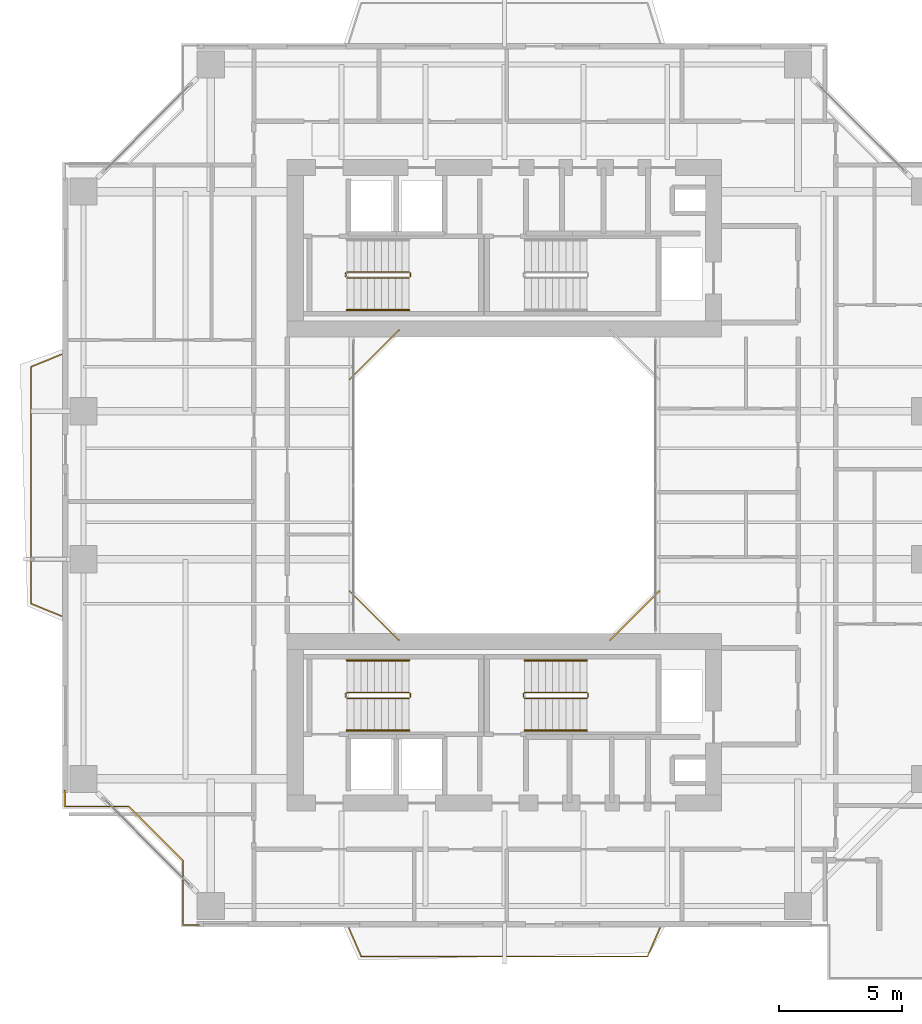
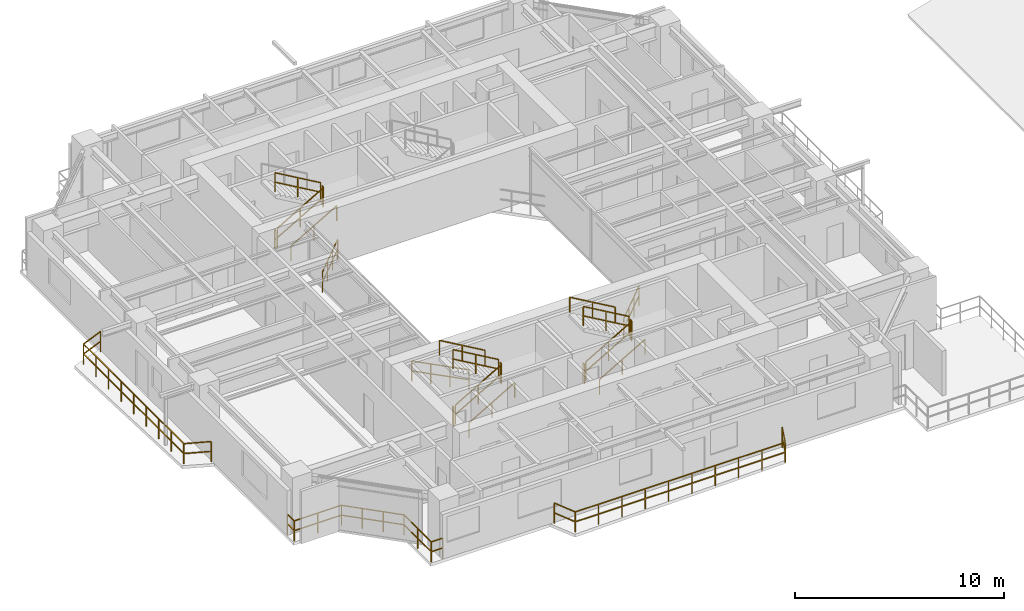
# One storey, part 26 of 28: 23 railings.
"""IFC4 building model written with IfcOpenShell, lengths in metres."""

from ifc_helpers import new_model, si_unit, direction, frame, origin, origin_2d, place, context, subcontext, project, spatial, rectangle, extrude, material, type_object, element, save


model = new_model("IFC4")

# Units and contexts
model_context = context("Model", 3, precision=1e-05, world=origin(), true_north=direction((0.0, 1.0)))
body_context = subcontext(model_context, "Body", "Model", "MODEL_VIEW")
ifc_project = project(units=[si_unit("LENGTHUNIT", "METRE"), si_unit("AREAUNIT", "SQUARE_METRE"), si_unit("VOLUMEUNIT", "CUBIC_METRE"), si_unit("PLANEANGLEUNIT", "RADIAN"), si_unit("MASSUNIT", "GRAM", prefix="KILO"), si_unit("THERMODYNAMICTEMPERATUREUNIT", "KELVIN"), si_unit("POWERUNIT", "WATT")], contexts=[model_context])

# Site, building, storey
site_placement = place(None, origin())
site = spatial("IfcSite", under=ifc_project, at=site_placement, CompositionType="ELEMENT")
building_placement = place(site_placement, origin())
building = spatial("IfcBuilding", under=site, at=building_placement, Name="Qiaomeng Ring Towers", CompositionType="ELEMENT")
storey_placement = place(building_placement, frame((0.0, 0.0, 113.25)))
storey = spatial("IfcBuildingStorey", under=building, at=storey_placement, Name="L32", CompositionType="ELEMENT", Elevation=113.25)

# Railings
ifc_material_1 = material(Name="Low-E pale-green laminated safety glass", Category="glass")
railing_type_1 = type_object("IfcRailingType", Name="ARC-RL-BAL1", PredefinedType="BALUSTRADE", material=ifc_material_1)
railing_1_placement = place(storey_placement, frame((23.280029296875, 16.719970703125, 0.0)))
element("IfcRailing", 1, at=railing_1_placement, inside=storey, type_object=railing_type_1, Name="L32 Balustrade ARC-BAL-WELL1-L32-1", PredefinedType="BALUSTRADE", context=body_context, shape_type="SweptSolid", body=[
    extrude(rectangle(XDim=0.048095703125, YDim=0.048095703125, at=origin_2d()), frame((0.0, 0.0, 1.17578125), z_axis=(0.707106781187, 0.707106781187, 0.0), x_axis=(-0.707106781187, 0.707106781187, 0.0)), (0.0, 0.0, 1.0), 2.828369140625),
    extrude(rectangle(XDim=0.048095703125, YDim=0.048095703125, at=origin_2d()), frame((0.0, 0.0, 0.60009765625), z_axis=(0.707106781187, 0.707106781187, 0.0), x_axis=(-0.707106781187, 0.707106781187, 0.0)), (0.0, 0.0, 1.0), 2.828369140625),
    extrude(rectangle(XDim=0.0419921875, YDim=0.0419921875, at=origin_2d()), origin(), (0.0, 0.0, 1.0), 1.15185546875),
    extrude(rectangle(XDim=0.0419921875, YDim=0.0419921875, at=origin_2d()), frame((0.666748046875, 0.666748046875, 0.0)), (0.0, 0.0, 1.0), 1.15185546875),
    extrude(rectangle(XDim=0.0419921875, YDim=0.0419921875, at=origin_2d()), frame((1.333251953125, 1.333251953125, 0.0)), (0.0, 0.0, 1.0), 1.15185546875),
    extrude(rectangle(XDim=0.0419921875, YDim=0.0419921875, at=origin_2d()), frame((2.0, 2.0, 0.0)), (0.0, 0.0, 1.0), 1.15185546875),
])
railing_2_placement = place(storey_placement, frame((14.719970703125, 29.280029296875, 0.0)))
element("IfcRailing", 2, at=railing_2_placement, inside=storey, type_object=railing_type_1, Name="L32 Balustrade ARC-BAL-WELL1-L32-3", PredefinedType="BALUSTRADE", context=body_context, shape_type="SweptSolid", body=[
    extrude(rectangle(XDim=0.048095703125, YDim=0.048095703125, at=origin_2d()), frame((0.0, 0.0, 1.17578125), z_axis=(-0.707106781187, -0.707106781187, 0.0), x_axis=(0.707106781187, -0.707106781187, 0.0)), (0.0, 0.0, 1.0), 2.828369140625),
    extrude(rectangle(XDim=0.048095703125, YDim=0.048095703125, at=origin_2d()), frame((0.0, 0.0, 0.60009765625), z_axis=(-0.707106781187, -0.707106781187, 0.0), x_axis=(0.707106781187, -0.707106781187, 0.0)), (0.0, 0.0, 1.0), 2.828369140625),
    extrude(rectangle(XDim=0.0419921875, YDim=0.0419921875, at=origin_2d()), origin(), (0.0, 0.0, 1.0), 1.15185546875),
    extrude(rectangle(XDim=0.0419921875, YDim=0.0419921875, at=origin_2d()), frame((-0.666748046875, -0.666748046875, 0.0)), (0.0, 0.0, 1.0), 1.15185546875),
    extrude(rectangle(XDim=0.0419921875, YDim=0.0419921875, at=origin_2d()), frame((-1.333251953125, -1.333251953125, 0.0)), (0.0, 0.0, 1.0), 1.15185546875),
    extrude(rectangle(XDim=0.0419921875, YDim=0.0419921875, at=origin_2d()), frame((-2.0, -2.0, 0.0)), (0.0, 0.0, 1.0), 1.15185546875),
])
railing_3_placement = place(storey_placement, frame((12.719970703125, 18.719970703125, 0.0)))
element("IfcRailing", 3, at=railing_3_placement, inside=storey, type_object=railing_type_1, Name="L32 Balustrade ARC-BAL-WELL1-L32-4", PredefinedType="BALUSTRADE", context=body_context, shape_type="SweptSolid", body=[
    extrude(rectangle(XDim=0.048095703125, YDim=0.048095703125, at=origin_2d()), frame((0.0, 0.0, 1.17578125), z_axis=(0.707106781187, -0.707106781187, 0.0), x_axis=(0.707106781187, 0.707106781187, 0.0)), (0.0, 0.0, 1.0), 2.828369140625),
    extrude(rectangle(XDim=0.048095703125, YDim=0.048095703125, at=origin_2d()), frame((0.0, 0.0, 0.60009765625), z_axis=(0.707106781187, -0.707106781187, 0.0), x_axis=(0.707106781187, 0.707106781187, 0.0)), (0.0, 0.0, 1.0), 2.828369140625),
    extrude(rectangle(XDim=0.0419921875, YDim=0.0419921875, at=origin_2d()), origin(), (0.0, 0.0, 1.0), 1.15185546875),
    extrude(rectangle(XDim=0.0419921875, YDim=0.0419921875, at=origin_2d()), frame((0.666748046875, -0.666748046875, 0.0)), (0.0, 0.0, 1.0), 1.15185546875),
    extrude(rectangle(XDim=0.0419921875, YDim=0.0419921875, at=origin_2d()), frame((1.333251953125, -1.333251953125, 0.0)), (0.0, 0.0, 1.0), 1.15185546875),
    extrude(rectangle(XDim=0.0419921875, YDim=0.0419921875, at=origin_2d()), frame((2.0, -2.0, 0.0)), (0.0, 0.0, 1.0), 1.15185546875),
])
railing_4_placement = place(storey_placement, frame((1.179931640625, 10.6298828125, 0.0)))
element("IfcRailing", 4, at=railing_4_placement, inside=storey, type_object=railing_type_1, Name="L32 Balustrade ARC-BAL-NOTCH1-L32-SW", PredefinedType="BALUSTRADE", context=body_context, shape_type="SweptSolid", body=[
    extrude(rectangle(XDim=0.048095703125, YDim=0.048095703125, at=origin_2d()), frame((0.0, 0.0, 1.17578125), z_axis=(0.0, -1.0, 0.0), x_axis=(1.0, 0.0, 0.0)), (0.0, 0.0, 1.0), 0.64990234375),
    extrude(rectangle(XDim=0.048095703125, YDim=0.048095703125, at=origin_2d()), frame((0.0, 0.0, 0.60009765625), z_axis=(0.0, -1.0, 0.0), x_axis=(1.0, 0.0, 0.0)), (0.0, 0.0, 1.0), 0.64990234375),
    extrude(rectangle(XDim=0.048095703125, YDim=0.048095703125, at=origin_2d()), frame((0.0, -0.64990234375, 1.17578125), z_axis=(1.0, 0.0, 0.0), x_axis=(0.0, 1.0, 0.0)), (0.0, 0.0, 1.0), 2.60009765625),
    extrude(rectangle(XDim=0.048095703125, YDim=0.048095703125, at=origin_2d()), frame((0.0, -0.64990234375, 0.60009765625), z_axis=(1.0, 0.0, 0.0), x_axis=(0.0, 1.0, 0.0)), (0.0, 0.0, 1.0), 2.60009765625),
    extrude(rectangle(XDim=0.048095703125, YDim=0.048095703125, at=origin_2d()), frame((2.60009765625, -0.64990234375, 1.17578125), z_axis=(0.707106781187, -0.707106781187, 0.0), x_axis=(0.707106781187, 0.707106781187, 0.0)), (0.0, 0.0, 1.0), 3.111083984375),
    extrude(rectangle(XDim=0.048095703125, YDim=0.048095703125, at=origin_2d()), frame((2.60009765625, -0.64990234375, 0.60009765625), z_axis=(0.707106781187, -0.707106781187, 0.0), x_axis=(0.707106781187, 0.707106781187, 0.0)), (0.0, 0.0, 1.0), 3.111083984375),
    extrude(rectangle(XDim=0.048095703125, YDim=0.048095703125, at=origin_2d()), frame((4.800048828125, -2.849853515625, 1.17578125), z_axis=(0.0, -1.0, 0.0), x_axis=(1.0, 0.0, 0.0)), (0.0, 0.0, 1.0), 2.60009765625),
    extrude(rectangle(XDim=0.048095703125, YDim=0.048095703125, at=origin_2d()), frame((4.800048828125, -2.849853515625, 0.60009765625), z_axis=(0.0, -1.0, 0.0), x_axis=(1.0, 0.0, 0.0)), (0.0, 0.0, 1.0), 2.60009765625),
    extrude(rectangle(XDim=0.048095703125, YDim=0.048095703125, at=origin_2d()), frame((4.800048828125, -5.449951171875, 1.17578125), z_axis=(1.0, 0.0, 0.0), x_axis=(0.0, 1.0, 0.0)), (0.0, 0.0, 1.0), 0.64990234375),
    extrude(rectangle(XDim=0.048095703125, YDim=0.048095703125, at=origin_2d()), frame((4.800048828125, -5.449951171875, 0.60009765625), z_axis=(1.0, 0.0, 0.0), x_axis=(0.0, 1.0, 0.0)), (0.0, 0.0, 1.0), 0.64990234375),
    extrude(rectangle(XDim=0.0419921875, YDim=0.0419921875, at=origin_2d()), origin(), (0.0, 0.0, 1.0), 1.15185546875),
    extrude(rectangle(XDim=0.0419921875, YDim=0.0419921875, at=origin_2d()), frame((0.0, -0.64990234375, 0.0)), (0.0, 0.0, 1.0), 1.15185546875),
    extrude(rectangle(XDim=0.0419921875, YDim=0.0419921875, at=origin_2d()), frame((1.300048828125, -0.64990234375, 0.0)), (0.0, 0.0, 1.0), 1.15185546875),
    extrude(rectangle(XDim=0.0419921875, YDim=0.0419921875, at=origin_2d()), frame((2.60009765625, -0.64990234375, 0.0)), (0.0, 0.0, 1.0), 1.15185546875),
    extrude(rectangle(XDim=0.0419921875, YDim=0.0419921875, at=origin_2d()), frame((3.33349609375, -1.38330078125, 0.0)), (0.0, 0.0, 1.0), 1.15185546875),
    extrude(rectangle(XDim=0.0419921875, YDim=0.0419921875, at=origin_2d()), frame((4.066650390625, -2.116455078125, 0.0)), (0.0, 0.0, 1.0), 1.15185546875),
    extrude(rectangle(XDim=0.0419921875, YDim=0.0419921875, at=origin_2d()), frame((4.800048828125, -2.849853515625, 0.0)), (0.0, 0.0, 1.0), 1.15185546875),
    extrude(rectangle(XDim=0.0419921875, YDim=0.0419921875, at=origin_2d()), frame((4.800048828125, -4.14990234375, 0.0)), (0.0, 0.0, 1.0), 1.15185546875),
    extrude(rectangle(XDim=0.0419921875, YDim=0.0419921875, at=origin_2d()), frame((4.800048828125, -5.449951171875, 0.0)), (0.0, 0.0, 1.0), 1.15185546875),
    extrude(rectangle(XDim=0.0419921875, YDim=0.0419921875, at=origin_2d()), frame((5.449951171875, -5.449951171875, 0.0)), (0.0, 0.0, 1.0), 1.15185546875),
])
railing_5_placement = place(storey_placement, frame((12.699951171875, 5.050048828125, 0.0)))
element("IfcRailing", 5, at=railing_5_placement, inside=storey, type_object=railing_type_1, Name="L32 Balustrade ARC-BAL-L32-T1-S", PredefinedType="BALUSTRADE", context=body_context, shape_type="SweptSolid", body=[
    extrude(rectangle(XDim=0.048095703125, YDim=0.048095703125, at=origin_2d()), frame((0.0, 0.0, 1.17578125), z_axis=(0.39868340127, -0.917088624699, 0.0), x_axis=(0.917088624699, 0.39868340127, 0.0)), (0.0, 0.0, 1.0), 1.254150390625),
    extrude(rectangle(XDim=0.048095703125, YDim=0.048095703125, at=origin_2d()), frame((0.0, 0.0, 0.60009765625), z_axis=(0.39868340127, -0.917088624699, 0.0), x_axis=(0.917088624699, 0.39868340127, 0.0)), (0.0, 0.0, 1.0), 1.254150390625),
    extrude(rectangle(XDim=0.048095703125, YDim=0.048095703125, at=origin_2d()), frame((0.5, -1.150146484375, 1.17578125), z_axis=(1.0, 0.0, 0.0), x_axis=(0.0, 1.0, 0.0)), (0.0, 0.0, 1.0), 11.60009765625),
    extrude(rectangle(XDim=0.048095703125, YDim=0.048095703125, at=origin_2d()), frame((0.5, -1.150146484375, 0.60009765625), z_axis=(1.0, 0.0, 0.0), x_axis=(0.0, 1.0, 0.0)), (0.0, 0.0, 1.0), 11.60009765625),
    extrude(rectangle(XDim=0.048095703125, YDim=0.048095703125, at=origin_2d()), frame((12.10009765625, -1.150146484375, 1.17578125), z_axis=(0.39868340127, 0.917088624699, 0.0), x_axis=(-0.917088624699, 0.39868340127, 0.0)), (0.0, 0.0, 1.0), 1.254150390625),
    extrude(rectangle(XDim=0.048095703125, YDim=0.048095703125, at=origin_2d()), frame((12.10009765625, -1.150146484375, 0.60009765625), z_axis=(0.39868340127, 0.917088624699, 0.0), x_axis=(-0.917088624699, 0.39868340127, 0.0)), (0.0, 0.0, 1.0), 1.254150390625),
    extrude(rectangle(XDim=0.0419921875, YDim=0.0419921875, at=origin_2d()), origin(), (0.0, 0.0, 1.0), 1.15185546875),
    extrude(rectangle(XDim=0.0419921875, YDim=0.0419921875, at=origin_2d()), frame((0.5, -1.150146484375, 0.0)), (0.0, 0.0, 1.0), 1.15185546875),
    extrude(rectangle(XDim=0.0419921875, YDim=0.0419921875, at=origin_2d()), frame((1.788818359375, -1.150146484375, 0.0)), (0.0, 0.0, 1.0), 1.15185546875),
    extrude(rectangle(XDim=0.0419921875, YDim=0.0419921875, at=origin_2d()), frame((3.077880859375, -1.150146484375, 0.0)), (0.0, 0.0, 1.0), 1.15185546875),
    extrude(rectangle(XDim=0.0419921875, YDim=0.0419921875, at=origin_2d()), frame((4.36669921875, -1.150146484375, 0.0)), (0.0, 0.0, 1.0), 1.15185546875),
    extrude(rectangle(XDim=0.0419921875, YDim=0.0419921875, at=origin_2d()), frame((5.655517578125, -1.150146484375, 0.0)), (0.0, 0.0, 1.0), 1.15185546875),
    extrude(rectangle(XDim=0.0419921875, YDim=0.0419921875, at=origin_2d()), frame((6.944580078125, -1.150146484375, 0.0)), (0.0, 0.0, 1.0), 1.15185546875),
    extrude(rectangle(XDim=0.0419921875, YDim=0.0419921875, at=origin_2d()), frame((8.2333984375, -1.150146484375, 0.0)), (0.0, 0.0, 1.0), 1.15185546875),
    extrude(rectangle(XDim=0.0419921875, YDim=0.0419921875, at=origin_2d()), frame((9.522216796875, -1.150146484375, 0.0)), (0.0, 0.0, 1.0), 1.15185546875),
    extrude(rectangle(XDim=0.0419921875, YDim=0.0419921875, at=origin_2d()), frame((10.811279296875, -1.150146484375, 0.0)), (0.0, 0.0, 1.0), 1.15185546875),
    extrude(rectangle(XDim=0.0419921875, YDim=0.0419921875, at=origin_2d()), frame((12.10009765625, -1.150146484375, 0.0)), (0.0, 0.0, 1.0), 1.15185546875),
    extrude(rectangle(XDim=0.0419921875, YDim=0.0419921875, at=origin_2d()), frame((12.60009765625, 0.0, 0.0)), (0.0, 0.0, 1.0), 1.15185546875),
])
railing_6_placement = place(storey_placement, frame((1.050048828125, 17.699951171875, 0.0)))
element("IfcRailing", 6, at=railing_6_placement, inside=storey, type_object=railing_type_1, Name="L32 Balustrade ARC-BAL-L32-T1-W", PredefinedType="BALUSTRADE", context=body_context, shape_type="SweptSolid", body=[
    extrude(rectangle(XDim=0.048095703125, YDim=0.048095703125, at=origin_2d()), frame((0.0, 0.0, 1.17578125), z_axis=(-0.926382398109, 0.376584190418, 0.0), x_axis=(-0.376584190418, -0.926382398109, 0.0)), (0.0, 0.0, 1.0), 1.32763671875),
    extrude(rectangle(XDim=0.048095703125, YDim=0.048095703125, at=origin_2d()), frame((0.0, 0.0, 0.60009765625), z_axis=(-0.926382398109, 0.376584190418, 0.0), x_axis=(-0.376584190418, -0.926382398109, 0.0)), (0.0, 0.0, 1.0), 1.32763671875),
    extrude(rectangle(XDim=0.048095703125, YDim=0.048095703125, at=origin_2d()), frame((-1.22998046875, 0.5, 1.17578125), z_axis=(0.0, 1.0, 0.0), x_axis=(-1.0, 0.0, 0.0)), (0.0, 0.0, 1.0), 9.60009765625),
    extrude(rectangle(XDim=0.048095703125, YDim=0.048095703125, at=origin_2d()), frame((-1.22998046875, 0.5, 0.60009765625), z_axis=(0.0, 1.0, 0.0), x_axis=(-1.0, 0.0, 0.0)), (0.0, 0.0, 1.0), 9.60009765625),
    extrude(rectangle(XDim=0.048095703125, YDim=0.048095703125, at=origin_2d()), frame((-1.22998046875, 10.10009765625, 1.17578125), z_axis=(0.926382398109, 0.376584190418, 0.0), x_axis=(-0.376584190418, 0.926382398109, 0.0)), (0.0, 0.0, 1.0), 1.32763671875),
    extrude(rectangle(XDim=0.048095703125, YDim=0.048095703125, at=origin_2d()), frame((-1.22998046875, 10.10009765625, 0.60009765625), z_axis=(0.926382398109, 0.376584190418, 0.0), x_axis=(-0.376584190418, 0.926382398109, 0.0)), (0.0, 0.0, 1.0), 1.32763671875),
    extrude(rectangle(XDim=0.0419921875, YDim=0.0419921875, at=origin_2d()), origin(), (0.0, 0.0, 1.0), 1.15185546875),
    extrude(rectangle(XDim=0.0419921875, YDim=0.0419921875, at=origin_2d()), frame((-1.22998046875, 0.5, 0.0)), (0.0, 0.0, 1.0), 1.15185546875),
    extrude(rectangle(XDim=0.0419921875, YDim=0.0419921875, at=origin_2d()), frame((-1.22998046875, 1.699951171875, 0.0)), (0.0, 0.0, 1.0), 1.15185546875),
    extrude(rectangle(XDim=0.0419921875, YDim=0.0419921875, at=origin_2d()), frame((-1.22998046875, 2.89990234375, 0.0)), (0.0, 0.0, 1.0), 1.15185546875),
    extrude(rectangle(XDim=0.0419921875, YDim=0.0419921875, at=origin_2d()), frame((-1.22998046875, 4.10009765625, 0.0)), (0.0, 0.0, 1.0), 1.15185546875),
    extrude(rectangle(XDim=0.0419921875, YDim=0.0419921875, at=origin_2d()), frame((-1.22998046875, 5.300048828125, 0.0)), (0.0, 0.0, 1.0), 1.15185546875),
    extrude(rectangle(XDim=0.0419921875, YDim=0.0419921875, at=origin_2d()), frame((-1.22998046875, 6.5, 0.0)), (0.0, 0.0, 1.0), 1.15185546875),
    extrude(rectangle(XDim=0.0419921875, YDim=0.0419921875, at=origin_2d()), frame((-1.22998046875, 7.7001953125, 0.0)), (0.0, 0.0, 1.0), 1.15185546875),
    extrude(rectangle(XDim=0.0419921875, YDim=0.0419921875, at=origin_2d()), frame((-1.22998046875, 8.900146484375, 0.0)), (0.0, 0.0, 1.0), 1.15185546875),
    extrude(rectangle(XDim=0.0419921875, YDim=0.0419921875, at=origin_2d()), frame((-1.22998046875, 10.10009765625, 0.0)), (0.0, 0.0, 1.0), 1.15185546875),
    extrude(rectangle(XDim=0.0419921875, YDim=0.0419921875, at=origin_2d()), frame((0.0, 10.60009765625, 0.0)), (0.0, 0.0, 1.0), 1.15185546875),
])
ifc_material_2 = material(Name="Galvanised steel", Category="steel")
railing_type_2 = type_object("IfcRailingType", Name="ARC-RL-GUARD", PredefinedType="GUARDRAIL", material=ifc_material_2)
railing_7_placement = place(storey_placement, frame((12.6201171875, 31.39990234375, 0.16259765625)))
element("IfcRailing", 7, at=railing_7_placement, inside=storey, type_object=railing_type_2, Name="L32 ST1 stair guard 1", PredefinedType="GUARDRAIL", context=body_context, shape_type="SweptSolid", body=[
    extrude(rectangle(XDim=0.048095703125, YDim=0.048095703125, at=origin_2d()), frame((0.0, 0.0, 1.1259765625), z_axis=(0.864892226395, 0.0, 0.501957604506), x_axis=(0.0, 1.0, 0.0)), (0.0, 0.0, 1.0), 2.913330078125),
    extrude(rectangle(XDim=0.048095703125, YDim=0.048095703125, at=origin_2d()), frame((0.0, 0.0, 0.574951171875), z_axis=(0.864892226395, 0.0, 0.501957604506), x_axis=(0.0, 1.0, 0.0)), (0.0, 0.0, 1.0), 2.913330078125),
    extrude(rectangle(XDim=0.0419921875, YDim=0.0419921875, at=origin_2d()), origin(), (0.0, 0.0, 1.0), 1.101806640625),
    extrude(rectangle(XDim=0.0419921875, YDim=0.0419921875, at=origin_2d()), frame((1.259765625, 0.0, 0.731201171875)), (0.0, 0.0, 1.0), 1.101806640625),
    extrude(rectangle(XDim=0.0419921875, YDim=0.0419921875, at=origin_2d()), frame((2.519775390625, 0.0, 1.46240234375)), (0.0, 0.0, 1.0), 1.101806640625),
])
railing_8_placement = place(storey_placement, frame((15.18994140625, 31.449951171875, 1.625)))
element("IfcRailing", 8, at=railing_8_placement, inside=storey, type_object=railing_type_2, Name="L32 ST1 stair guard 2", PredefinedType="GUARDRAIL", context=body_context, shape_type="SweptSolid", body=[
    extrude(rectangle(XDim=0.048095703125, YDim=0.048095703125, at=origin_2d()), frame((0.0, 0.0, 1.1259765625), z_axis=(0.0, 1.0, 0.0), x_axis=(-1.0, 0.0, 0.0)), (0.0, 0.0, 1.0), 0.14013671875),
    extrude(rectangle(XDim=0.048095703125, YDim=0.048095703125, at=origin_2d()), frame((0.0, 0.0, 0.574951171875), z_axis=(0.0, 1.0, 0.0), x_axis=(-1.0, 0.0, 0.0)), (0.0, 0.0, 1.0), 0.14013671875),
    extrude(rectangle(XDim=0.0419921875, YDim=0.0419921875, at=origin_2d()), origin(), (0.0, 0.0, 1.0), 1.101806640625),
    extrude(rectangle(XDim=0.0419921875, YDim=0.0419921875, at=origin_2d()), frame((0.0, 0.14013671875, 0.0)), (0.0, 0.0, 1.0), 1.101806640625),
])
railing_9_placement = place(storey_placement, frame((15.139892578125, 31.639892578125, 1.78759765625)))
element("IfcRailing", 9, at=railing_9_placement, inside=storey, type_object=railing_type_2, Name="L32 ST1 stair guard 3", PredefinedType="GUARDRAIL", context=body_context, shape_type="SweptSolid", body=[
    extrude(rectangle(XDim=0.048095703125, YDim=0.048095703125, at=origin_2d()), frame((0.0, 0.0, 1.1259765625), z_axis=(-0.864892226395, 0.0, 0.501957604506), x_axis=(0.0, -1.0, 0.0)), (0.0, 0.0, 1.0), 2.913330078125),
    extrude(rectangle(XDim=0.048095703125, YDim=0.048095703125, at=origin_2d()), frame((0.0, 0.0, 0.574951171875), z_axis=(-0.864892226395, 0.0, 0.501957604506), x_axis=(0.0, -1.0, 0.0)), (0.0, 0.0, 1.0), 2.913330078125),
    extrude(rectangle(XDim=0.0419921875, YDim=0.0419921875, at=origin_2d()), origin(), (0.0, 0.0, 1.0), 1.101806640625),
    extrude(rectangle(XDim=0.0419921875, YDim=0.0419921875, at=origin_2d()), frame((-1.259765625, 0.0, 0.731201171875)), (0.0, 0.0, 1.0), 1.101806640625),
    extrude(rectangle(XDim=0.0419921875, YDim=0.0419921875, at=origin_2d()), frame((-2.519775390625, 0.0, 1.46240234375)), (0.0, 0.0, 1.0), 1.101806640625),
])
railing_10_placement = place(storey_placement, frame((12.570068359375, 31.449951171875, 0.0)))
element("IfcRailing", 10, at=railing_10_placement, inside=storey, type_object=railing_type_2, Name="L32 ST1 stair guard 4", PredefinedType="GUARDRAIL", context=body_context, shape_type="SweptSolid", body=[
    extrude(rectangle(XDim=0.048095703125, YDim=0.048095703125, at=origin_2d()), frame((0.0, 0.0, 1.1259765625), z_axis=(0.0, 1.0, 0.0), x_axis=(-1.0, 0.0, 0.0)), (0.0, 0.0, 1.0), 0.14013671875),
    extrude(rectangle(XDim=0.048095703125, YDim=0.048095703125, at=origin_2d()), frame((0.0, 0.0, 0.574951171875), z_axis=(0.0, 1.0, 0.0), x_axis=(-1.0, 0.0, 0.0)), (0.0, 0.0, 1.0), 0.14013671875),
    extrude(rectangle(XDim=0.0419921875, YDim=0.0419921875, at=origin_2d()), origin(), (0.0, 0.0, 1.0), 1.101806640625),
    extrude(rectangle(XDim=0.0419921875, YDim=0.0419921875, at=origin_2d()), frame((0.0, 0.14013671875, 0.0)), (0.0, 0.0, 1.0), 1.101806640625),
])
railing_11_placement = place(storey_placement, frame((12.6201171875, 14.360107421875, 0.16259765625)))
element("IfcRailing", 11, at=railing_11_placement, inside=storey, type_object=railing_type_2, Name="L32 ST3 stair guard 1", PredefinedType="GUARDRAIL", context=body_context, shape_type="SweptSolid", body=[
    extrude(rectangle(XDim=0.048095703125, YDim=0.048095703125, at=origin_2d()), frame((0.0, 0.0, 1.1259765625), z_axis=(0.864892226395, 0.0, 0.501957604506), x_axis=(0.0, 1.0, 0.0)), (0.0, 0.0, 1.0), 2.913330078125),
    extrude(rectangle(XDim=0.048095703125, YDim=0.048095703125, at=origin_2d()), frame((0.0, 0.0, 0.574951171875), z_axis=(0.864892226395, 0.0, 0.501957604506), x_axis=(0.0, 1.0, 0.0)), (0.0, 0.0, 1.0), 2.913330078125),
    extrude(rectangle(XDim=0.0419921875, YDim=0.0419921875, at=origin_2d()), origin(), (0.0, 0.0, 1.0), 1.101806640625),
    extrude(rectangle(XDim=0.0419921875, YDim=0.0419921875, at=origin_2d()), frame((1.259765625, 0.0, 0.731201171875)), (0.0, 0.0, 1.0), 1.101806640625),
    extrude(rectangle(XDim=0.0419921875, YDim=0.0419921875, at=origin_2d()), frame((2.519775390625, 0.0, 1.46240234375)), (0.0, 0.0, 1.0), 1.101806640625),
])
railing_12_placement = place(storey_placement, frame((15.18994140625, 14.409912109375, 1.625)))
element("IfcRailing", 12, at=railing_12_placement, inside=storey, type_object=railing_type_2, Name="L32 ST3 stair guard 2", PredefinedType="GUARDRAIL", context=body_context, shape_type="SweptSolid", body=[
    extrude(rectangle(XDim=0.048095703125, YDim=0.048095703125, at=origin_2d()), frame((0.0, 0.0, 1.1259765625), z_axis=(0.0, 1.0, 0.0), x_axis=(-1.0, 0.0, 0.0)), (0.0, 0.0, 1.0), 0.14013671875),
    extrude(rectangle(XDim=0.048095703125, YDim=0.048095703125, at=origin_2d()), frame((0.0, 0.0, 0.574951171875), z_axis=(0.0, 1.0, 0.0), x_axis=(-1.0, 0.0, 0.0)), (0.0, 0.0, 1.0), 0.14013671875),
    extrude(rectangle(XDim=0.0419921875, YDim=0.0419921875, at=origin_2d()), origin(), (0.0, 0.0, 1.0), 1.101806640625),
    extrude(rectangle(XDim=0.0419921875, YDim=0.0419921875, at=origin_2d()), frame((0.0, 0.14013671875, 0.0)), (0.0, 0.0, 1.0), 1.101806640625),
])
railing_13_placement = place(storey_placement, frame((15.139892578125, 14.60009765625, 1.78759765625)))
element("IfcRailing", 13, at=railing_13_placement, inside=storey, type_object=railing_type_2, Name="L32 ST3 stair guard 3", PredefinedType="GUARDRAIL", context=body_context, shape_type="SweptSolid", body=[
    extrude(rectangle(XDim=0.048095703125, YDim=0.048095703125, at=origin_2d()), frame((0.0, 0.0, 1.1259765625), z_axis=(-0.864892226395, 0.0, 0.501957604506), x_axis=(0.0, -1.0, 0.0)), (0.0, 0.0, 1.0), 2.913330078125),
    extrude(rectangle(XDim=0.048095703125, YDim=0.048095703125, at=origin_2d()), frame((0.0, 0.0, 0.574951171875), z_axis=(-0.864892226395, 0.0, 0.501957604506), x_axis=(0.0, -1.0, 0.0)), (0.0, 0.0, 1.0), 2.913330078125),
    extrude(rectangle(XDim=0.0419921875, YDim=0.0419921875, at=origin_2d()), origin(), (0.0, 0.0, 1.0), 1.101806640625),
    extrude(rectangle(XDim=0.0419921875, YDim=0.0419921875, at=origin_2d()), frame((-1.259765625, 0.0, 0.731201171875)), (0.0, 0.0, 1.0), 1.101806640625),
    extrude(rectangle(XDim=0.0419921875, YDim=0.0419921875, at=origin_2d()), frame((-2.519775390625, 0.0, 1.46240234375)), (0.0, 0.0, 1.0), 1.101806640625),
])
railing_14_placement = place(storey_placement, frame((12.570068359375, 14.409912109375, 0.0)))
element("IfcRailing", 14, at=railing_14_placement, inside=storey, type_object=railing_type_2, Name="L32 ST3 stair guard 4", PredefinedType="GUARDRAIL", context=body_context, shape_type="SweptSolid", body=[
    extrude(rectangle(XDim=0.048095703125, YDim=0.048095703125, at=origin_2d()), frame((0.0, 0.0, 1.1259765625), z_axis=(0.0, 1.0, 0.0), x_axis=(-1.0, 0.0, 0.0)), (0.0, 0.0, 1.0), 0.14013671875),
    extrude(rectangle(XDim=0.048095703125, YDim=0.048095703125, at=origin_2d()), frame((0.0, 0.0, 0.574951171875), z_axis=(0.0, 1.0, 0.0), x_axis=(-1.0, 0.0, 0.0)), (0.0, 0.0, 1.0), 0.14013671875),
    extrude(rectangle(XDim=0.0419921875, YDim=0.0419921875, at=origin_2d()), origin(), (0.0, 0.0, 1.0), 1.101806640625),
    extrude(rectangle(XDim=0.0419921875, YDim=0.0419921875, at=origin_2d()), frame((0.0, 0.14013671875, 0.0)), (0.0, 0.0, 1.0), 1.101806640625),
])
railing_15_placement = place(storey_placement, frame((19.820068359375, 14.360107421875, 0.16259765625)))
element("IfcRailing", 15, at=railing_15_placement, inside=storey, type_object=railing_type_2, Name="L32 ST4 stair guard 1", PredefinedType="GUARDRAIL", context=body_context, shape_type="SweptSolid", body=[
    extrude(rectangle(XDim=0.048095703125, YDim=0.048095703125, at=origin_2d()), frame((0.0, 0.0, 1.1259765625), z_axis=(0.864913338283, 0.0, 0.50192122615), x_axis=(0.0, 1.0, 0.0)), (0.0, 0.0, 1.0), 2.91357421875),
    extrude(rectangle(XDim=0.048095703125, YDim=0.048095703125, at=origin_2d()), frame((0.0, 0.0, 0.574951171875), z_axis=(0.864913338283, 0.0, 0.50192122615), x_axis=(0.0, 1.0, 0.0)), (0.0, 0.0, 1.0), 2.91357421875),
    extrude(rectangle(XDim=0.0419921875, YDim=0.0419921875, at=origin_2d()), origin(), (0.0, 0.0, 1.0), 1.101806640625),
    extrude(rectangle(XDim=0.0419921875, YDim=0.0419921875, at=origin_2d()), frame((1.260009765625, 0.0, 0.731201171875)), (0.0, 0.0, 1.0), 1.101806640625),
    extrude(rectangle(XDim=0.0419921875, YDim=0.0419921875, at=origin_2d()), frame((2.52001953125, 0.0, 1.46240234375)), (0.0, 0.0, 1.0), 1.101806640625),
])
railing_16_placement = place(storey_placement, frame((22.389892578125, 14.409912109375, 1.625)))
element("IfcRailing", 16, at=railing_16_placement, inside=storey, type_object=railing_type_2, Name="L32 ST4 stair guard 2", PredefinedType="GUARDRAIL", context=body_context, shape_type="SweptSolid", body=[
    extrude(rectangle(XDim=0.048095703125, YDim=0.048095703125, at=origin_2d()), frame((0.0, 0.0, 1.1259765625), z_axis=(0.0, 1.0, 0.0), x_axis=(-1.0, 0.0, 0.0)), (0.0, 0.0, 1.0), 0.14013671875),
    extrude(rectangle(XDim=0.048095703125, YDim=0.048095703125, at=origin_2d()), frame((0.0, 0.0, 0.574951171875), z_axis=(0.0, 1.0, 0.0), x_axis=(-1.0, 0.0, 0.0)), (0.0, 0.0, 1.0), 0.14013671875),
    extrude(rectangle(XDim=0.0419921875, YDim=0.0419921875, at=origin_2d()), origin(), (0.0, 0.0, 1.0), 1.101806640625),
    extrude(rectangle(XDim=0.0419921875, YDim=0.0419921875, at=origin_2d()), frame((0.0, 0.14013671875, 0.0)), (0.0, 0.0, 1.0), 1.101806640625),
])
railing_17_placement = place(storey_placement, frame((22.340087890625, 14.60009765625, 1.78759765625)))
element("IfcRailing", 17, at=railing_17_placement, inside=storey, type_object=railing_type_2, Name="L32 ST4 stair guard 3", PredefinedType="GUARDRAIL", context=body_context, shape_type="SweptSolid", body=[
    extrude(rectangle(XDim=0.048095703125, YDim=0.048095703125, at=origin_2d()), frame((0.0, 0.0, 1.1259765625), z_axis=(-0.864913338283, 0.0, 0.50192122615), x_axis=(0.0, -1.0, 0.0)), (0.0, 0.0, 1.0), 2.91357421875),
    extrude(rectangle(XDim=0.048095703125, YDim=0.048095703125, at=origin_2d()), frame((0.0, 0.0, 0.574951171875), z_axis=(-0.864913338283, 0.0, 0.50192122615), x_axis=(0.0, -1.0, 0.0)), (0.0, 0.0, 1.0), 2.91357421875),
    extrude(rectangle(XDim=0.0419921875, YDim=0.0419921875, at=origin_2d()), origin(), (0.0, 0.0, 1.0), 1.101806640625),
    extrude(rectangle(XDim=0.0419921875, YDim=0.0419921875, at=origin_2d()), frame((-1.260009765625, 0.0, 0.731201171875)), (0.0, 0.0, 1.0), 1.101806640625),
    extrude(rectangle(XDim=0.0419921875, YDim=0.0419921875, at=origin_2d()), frame((-2.52001953125, 0.0, 1.46240234375)), (0.0, 0.0, 1.0), 1.101806640625),
])
railing_18_placement = place(storey_placement, frame((19.77001953125, 14.409912109375, 0.0)))
element("IfcRailing", 18, at=railing_18_placement, inside=storey, type_object=railing_type_2, Name="L32 ST4 stair guard 4", PredefinedType="GUARDRAIL", context=body_context, shape_type="SweptSolid", body=[
    extrude(rectangle(XDim=0.048095703125, YDim=0.048095703125, at=origin_2d()), frame((0.0, 0.0, 1.1259765625), z_axis=(0.0, 1.0, 0.0), x_axis=(-1.0, 0.0, 0.0)), (0.0, 0.0, 1.0), 0.14013671875),
    extrude(rectangle(XDim=0.048095703125, YDim=0.048095703125, at=origin_2d()), frame((0.0, 0.0, 0.574951171875), z_axis=(0.0, 1.0, 0.0), x_axis=(-1.0, 0.0, 0.0)), (0.0, 0.0, 1.0), 0.14013671875),
    extrude(rectangle(XDim=0.0419921875, YDim=0.0419921875, at=origin_2d()), origin(), (0.0, 0.0, 1.0), 1.101806640625),
    extrude(rectangle(XDim=0.0419921875, YDim=0.0419921875, at=origin_2d()), frame((0.0, 0.14013671875, 0.0)), (0.0, 0.0, 1.0), 1.101806640625),
])
ifc_material_3 = material(Name="Stainless steel 316", Category="steel")
railing_type_3 = type_object("IfcRailingType", Name="ARC-RL-HAND", PredefinedType="HANDRAIL", material=ifc_material_3)
for number, where, name in (
    (19, (12.6201171875, 30.10009765625, 0.16259765625), "L32 ST1 stair handrail 1"),
    (20, (12.6201171875, 13.06005859375, 0.16259765625), "L32 ST3 stair handrail 1"),
):
    element("IfcRailing", number, at=place(storey_placement, frame(where)), inside=storey, type_object=railing_type_3, Name=name, PredefinedType="HANDRAIL", context=body_context, shape_type="SweptSolid", body=[
        extrude(rectangle(XDim=0.048095703125, YDim=0.048095703125, at=origin_2d()), frame((0.0, 0.0, 0.8759765625), z_axis=(0.864892226395, 0.0, 0.501957604506), x_axis=(0.0, 1.0, 0.0)), (0.0, 0.0, 1.0), 2.913330078125),
        extrude(rectangle(XDim=0.0419921875, YDim=0.0419921875, at=origin_2d()), origin(), (0.0, 0.0, 1.0), 0.851806640625),
        extrude(rectangle(XDim=0.0419921875, YDim=0.0419921875, at=origin_2d()), frame((1.259765625, 0.0, 0.731201171875)), (0.0, 0.0, 1.0), 0.851806640625),
        extrude(rectangle(XDim=0.0419921875, YDim=0.0419921875, at=origin_2d()), frame((2.519775390625, 0.0, 1.46240234375)), (0.0, 0.0, 1.0), 0.851806640625),
    ])
railing_19_placement = place(storey_placement, frame((15.139892578125, 15.89990234375, 1.78759765625)))
element("IfcRailing", 21, at=railing_19_placement, inside=storey, type_object=railing_type_3, Name="L32 ST3 stair handrail 2", PredefinedType="HANDRAIL", context=body_context, shape_type="SweptSolid", body=[
    extrude(rectangle(XDim=0.048095703125, YDim=0.048095703125, at=origin_2d()), frame((0.0, 0.0, 0.8759765625), z_axis=(-0.864892226395, 0.0, 0.501957604506), x_axis=(0.0, -1.0, 0.0)), (0.0, 0.0, 1.0), 2.913330078125),
    extrude(rectangle(XDim=0.0419921875, YDim=0.0419921875, at=origin_2d()), origin(), (0.0, 0.0, 1.0), 0.851806640625),
    extrude(rectangle(XDim=0.0419921875, YDim=0.0419921875, at=origin_2d()), frame((-1.259765625, 0.0, 0.731201171875)), (0.0, 0.0, 1.0), 0.851806640625),
    extrude(rectangle(XDim=0.0419921875, YDim=0.0419921875, at=origin_2d()), frame((-2.519775390625, 0.0, 1.46240234375)), (0.0, 0.0, 1.0), 0.851806640625),
])
railing_20_placement = place(storey_placement, frame((19.820068359375, 13.06005859375, 0.16259765625)))
element("IfcRailing", 22, at=railing_20_placement, inside=storey, type_object=railing_type_3, Name="L32 ST4 stair handrail 1", PredefinedType="HANDRAIL", context=body_context, shape_type="SweptSolid", body=[
    extrude(rectangle(XDim=0.048095703125, YDim=0.048095703125, at=origin_2d()), frame((0.0, 0.0, 0.8759765625), z_axis=(0.864913338283, 0.0, 0.50192122615), x_axis=(0.0, 1.0, 0.0)), (0.0, 0.0, 1.0), 2.91357421875),
    extrude(rectangle(XDim=0.0419921875, YDim=0.0419921875, at=origin_2d()), origin(), (0.0, 0.0, 1.0), 0.851806640625),
    extrude(rectangle(XDim=0.0419921875, YDim=0.0419921875, at=origin_2d()), frame((1.260009765625, 0.0, 0.731201171875)), (0.0, 0.0, 1.0), 0.851806640625),
    extrude(rectangle(XDim=0.0419921875, YDim=0.0419921875, at=origin_2d()), frame((2.52001953125, 0.0, 1.46240234375)), (0.0, 0.0, 1.0), 0.851806640625),
])
railing_21_placement = place(storey_placement, frame((22.340087890625, 15.89990234375, 1.78759765625)))
element("IfcRailing", 23, at=railing_21_placement, inside=storey, type_object=railing_type_3, Name="L32 ST4 stair handrail 2", PredefinedType="HANDRAIL", context=body_context, shape_type="SweptSolid", body=[
    extrude(rectangle(XDim=0.048095703125, YDim=0.048095703125, at=origin_2d()), frame((0.0, 0.0, 0.8759765625), z_axis=(-0.864913338283, 0.0, 0.50192122615), x_axis=(0.0, -1.0, 0.0)), (0.0, 0.0, 1.0), 2.91357421875),
    extrude(rectangle(XDim=0.0419921875, YDim=0.0419921875, at=origin_2d()), origin(), (0.0, 0.0, 1.0), 0.851806640625),
    extrude(rectangle(XDim=0.0419921875, YDim=0.0419921875, at=origin_2d()), frame((-1.260009765625, 0.0, 0.731201171875)), (0.0, 0.0, 1.0), 0.851806640625),
    extrude(rectangle(XDim=0.0419921875, YDim=0.0419921875, at=origin_2d()), frame((-2.52001953125, 0.0, 1.46240234375)), (0.0, 0.0, 1.0), 0.851806640625),
])

save(model, "model.ifc")
